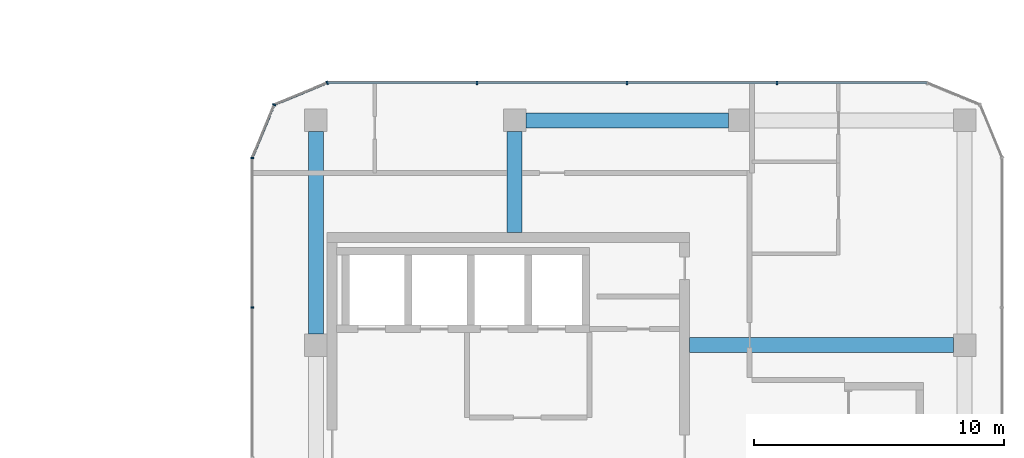
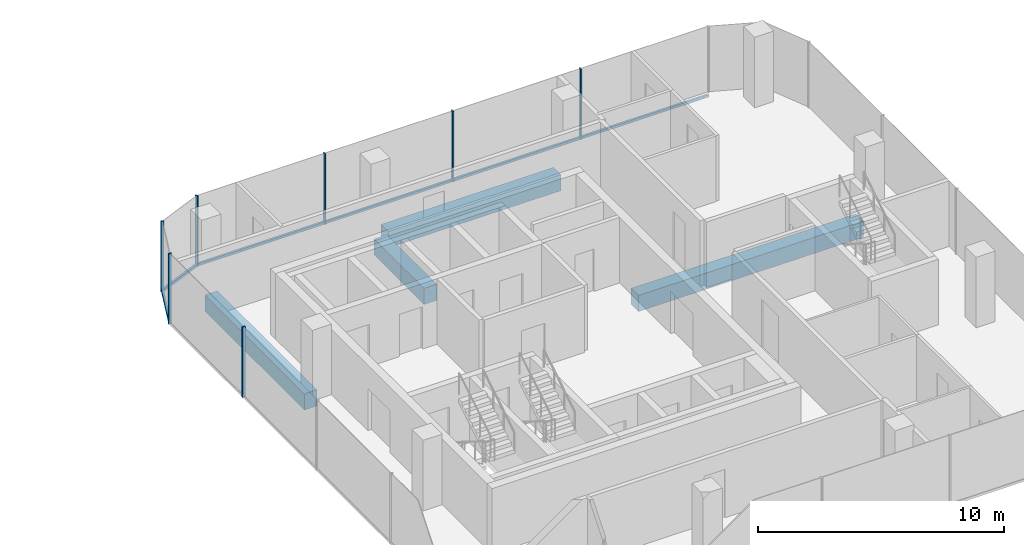
# One storey, part 9 of 22: 10 members, 4 beams, 4 elements without a shape of their own.
"""IFC4 building model written with IfcOpenShell, lengths in metres."""

from ifc_helpers import new_model, si_unit, direction, frame, origin, origin_2d, place, context, subcontext, project, spatial, rectangle, extrude, material, layer, layer_set, material_profile, profile_set, type_object, element, aggregate, save


model = new_model("IFC4")

# Units and contexts
model_context = context("Model", 3, precision=1e-05, world=origin(), true_north=direction((0.0, 1.0)))
body_context = subcontext(model_context, "Body", "Model", "MODEL_VIEW")
ifc_project = project(units=[si_unit("LENGTHUNIT", "METRE"), si_unit("AREAUNIT", "SQUARE_METRE"), si_unit("VOLUMEUNIT", "CUBIC_METRE"), si_unit("PLANEANGLEUNIT", "RADIAN"), si_unit("MASSUNIT", "GRAM", prefix="KILO")], contexts=[model_context])

# Site, building, storey
site_placement = place(None, origin())
site = spatial("IfcSite", under=ifc_project, at=site_placement, CompositionType="ELEMENT")
building_placement = place(site_placement, origin())
building = spatial("IfcBuilding", under=site, at=building_placement, Name="Plateau Cross Towers", CompositionType="ELEMENT")
storey_placement = place(building_placement, frame((0.0, 0.0, 106.300048828125)))
storey = spatial("IfcBuildingStorey", under=building, at=storey_placement, Name="L27", CompositionType="ELEMENT", Elevation=106.300048828125)

# Beams
ifc_material_1 = material(Name="Concrete C60/75", Category="concrete")
ifc_material_profile_1 = material_profile(ifc_material_1, rectangle(XDim=0.60009765625, YDim=0.800048828125, at=origin_2d()), Name="RC 600x800")
ifc_profile_set_1 = profile_set([ifc_material_profile_1], Name="Concrete C60/75")
beam_type_1 = type_object("IfcBeamType", Name="Core beam RC 600x800", PredefinedType="BEAM", material=ifc_profile_set_1)
beam_1_placement = place(storey_placement, frame((89.5, 13.5, -0.650146484375), z_axis=(1.0, 0.0, 0.0), x_axis=(0.0, 1.0, 0.0)))
element("IfcBeam", 1, at=beam_1_placement, inside=storey, type_object=beam_type_1, Name="B-CB03@L27", PredefinedType="BEAM", context=body_context, shape_type="SweptSolid", body=[
    extrude(rectangle(XDim=0.60009765625, YDim=0.800048828125, at=origin_2d()), origin(), (0.0, 0.0, 1.0), 10.550048828125),
])
beam_2_placement = place(storey_placement, frame((82.5, 18.0, -0.650146484375), z_axis=(0.0, 1.0, 0.0), x_axis=(-1.0, 0.0, 0.0)))
element("IfcBeam", 2, at=beam_2_placement, inside=storey, type_object=beam_type_1, Name="B-CB04@L27", PredefinedType="BEAM", context=body_context, shape_type="SweptSolid", body=[
    extrude(rectangle(XDim=0.60009765625, YDim=0.800048828125, at=origin_2d()), origin(), (0.0, 0.0, 1.0), 4.050048828125),
])

# Curtain wall, members
ifc_material_2 = material(Name="Dark low-iron glass", Category="glass")
ifc_layer = layer(ifc_material_2, 0.239990234375)
ifc_layer_set = layer_set([ifc_layer], Name="Dark low-iron glass")
curtain_wall_type = type_object("IfcCurtainWallType", Name="Curtain wall office unitised CW-F", PredefinedType="NOTDEFINED", material=ifc_layer_set)
curtain_wall_1_placement = place(storey_placement, origin())
curtain_wall_1 = element("IfcCurtainWall", 3, at=curtain_wall_1_placement, inside=storey, type_object=curtain_wall_type, Name="ENV/B/L27/B990_240", PredefinedType="NOTDEFINED")
ifc_material_3 = material(Name="Black anodised aluminium", Category="aluminium")
ifc_material_profile_2 = material_profile(ifc_material_3, rectangle(XDim=0.06005859375, YDim=0.139892578125, at=origin_2d()), Name="MULLION 60x140")
ifc_profile_set_2 = profile_set([ifc_material_profile_2], Name="Black anodised aluminium")
member_type_1 = type_object("IfcMemberType", Name="Mullion 60x140 office unitised", PredefinedType="MULLION", material=ifc_profile_set_2)
member_1_placement = place(storey_placement, frame((93.0, 24.0, -0.25), z_axis=(0.0, 0.0, 1.0), x_axis=(-1.0, 0.0, 0.0)))
member_1 = element("IfcMember", 4, at=member_1_placement, type_object=member_type_1, Name="CW-F mullion 2", PredefinedType="MULLION", context=body_context, shape_type="SweptSolid", body=[
    extrude(rectangle(XDim=0.06005859375, YDim=0.139892578125, at=origin_2d()), origin(), (0.0, 0.0, 1.0), 3.5),
])
member_2_placement = place(storey_placement, frame((87.0, 24.0, -0.25), z_axis=(0.0, 0.0, 1.0), x_axis=(-1.0, 0.0, 0.0)))
member_2 = element("IfcMember", 5, at=member_2_placement, type_object=member_type_1, Name="CW-F mullion 3", PredefinedType="MULLION", context=body_context, shape_type="SweptSolid", body=[
    extrude(rectangle(XDim=0.06005859375, YDim=0.139892578125, at=origin_2d()), origin(), (0.0, 0.0, 1.0), 3.5),
])
member_3_placement = place(storey_placement, frame((81.0, 24.0, -0.25), z_axis=(0.0, 0.0, 1.0), x_axis=(-1.0, 0.0, 0.0)))
member_3 = element("IfcMember", 6, at=member_3_placement, type_object=member_type_1, Name="CW-F mullion 4", PredefinedType="MULLION", context=body_context, shape_type="SweptSolid", body=[
    extrude(rectangle(XDim=0.06005859375, YDim=0.139892578125, at=origin_2d()), origin(), (0.0, 0.0, 1.0), 3.5),
])

# Curtain wall, member
curtain_wall_2_placement = place(storey_placement, origin())
curtain_wall_2 = element("IfcCurtainWall", 7, at=curtain_wall_2_placement, inside=storey, type_object=curtain_wall_type, Name="ENV/B/L27/B750_240", PredefinedType="NOTDEFINED")
member_4_placement = place(storey_placement, frame((75.0, 24.0, -0.25), z_axis=(0.0, 0.0, 1.0), x_axis=(-0.923879457699, -0.382683612978, 0.0)))
member_4 = element("IfcMember", 8, at=member_4_placement, type_object=member_type_1, Name="CW-F mullion 1", PredefinedType="MULLION", context=body_context, shape_type="SweptSolid", body=[
    extrude(rectangle(XDim=0.06005859375, YDim=0.139892578125, at=origin_2d()), origin(), (0.0, 0.0, 1.0), 3.5),
])

curtain_wall_3_placement = place(storey_placement, origin())
curtain_wall_3 = element("IfcCurtainWall", 9, at=curtain_wall_3_placement, inside=storey, type_object=curtain_wall_type, Name="ENV/B/L27/B729_231", PredefinedType="NOTDEFINED")
member_5_placement = place(storey_placement, frame((72.878662109375, 23.121337890625, -0.25), z_axis=(0.0, 0.0, 1.0), x_axis=(-0.382683612978, -0.923879457699, 0.0)))
member_5 = element("IfcMember", 10, at=member_5_placement, type_object=member_type_1, Name="CW-F mullion 1", PredefinedType="MULLION", context=body_context, shape_type="SweptSolid", body=[
    extrude(rectangle(XDim=0.06005859375, YDim=0.139892578125, at=origin_2d()), origin(), (0.0, 0.0, 1.0), 3.5),
])

# Curtain wall, members
curtain_wall_4_placement = place(storey_placement, origin())
curtain_wall_4 = element("IfcCurtainWall", 11, at=curtain_wall_4_placement, inside=storey, type_object=curtain_wall_type, Name="ENV/B/L27/B720_210", PredefinedType="NOTDEFINED")
member_6_placement = place(storey_placement, frame((72.0, 21.0, -0.25), z_axis=(0.0, 0.0, 1.0), x_axis=(0.0, -1.0, 0.0)))
member_6 = element("IfcMember", 12, at=member_6_placement, type_object=member_type_1, Name="CW-F mullion 1", PredefinedType="MULLION", context=body_context, shape_type="SweptSolid", body=[
    extrude(rectangle(XDim=0.06005859375, YDim=0.139892578125, at=origin_2d()), origin(), (0.0, 0.0, 1.0), 3.5),
])
member_7_placement = place(storey_placement, frame((72.0, 15.0, -0.25), z_axis=(0.0, 0.0, 1.0), x_axis=(0.0, -1.0, 0.0)))
member_7 = element("IfcMember", 13, at=member_7_placement, type_object=member_type_1, Name="CW-F mullion 2", PredefinedType="MULLION", context=body_context, shape_type="SweptSolid", body=[
    extrude(rectangle(XDim=0.06005859375, YDim=0.139892578125, at=origin_2d()), origin(), (0.0, 0.0, 1.0), 3.5),
])
aggregate(curtain_wall_4, [member_6, member_7])

# Beams
ifc_material_profile_3 = material_profile(ifc_material_1, rectangle(XDim=0.60009765625, YDim=0.800048828125, at=origin_2d()), Name="RC 600x800")
ifc_profile_set_3 = profile_set([ifc_material_profile_3], Name="Concrete C60/75")
beam_type_2 = type_object("IfcBeamType", Name="Ring beam RC 600x800", PredefinedType="BEAM", material=ifc_profile_set_3)
for number, where, z_axis, x_axis, name in (
    (14, (91.050048828125, 22.5, -0.650146484375), (-1.0, 0.0, 0.0), (0.0, -1.0, 0.0), "B-RB07@L27"),
    (15, (74.550048828125, 22.050048828125, -0.650146484375), (0.0, -1.0, 0.0), (1.0, 0.0, 0.0), "B-RB08@L27"),
):
    element("IfcBeam", number, at=place(storey_placement, frame(where, z_axis=z_axis, x_axis=x_axis)), inside=storey, type_object=beam_type_2, Name=name, PredefinedType="BEAM", context=body_context, shape_type="SweptSolid", body=[
        extrude(rectangle(XDim=0.60009765625, YDim=0.800048828125, at=origin_2d()), origin(), (0.0, 0.0, 1.0), 8.10009765625),
    ])

# Member
ifc_material_profile_4 = material_profile(ifc_material_3, rectangle(XDim=0.10009765625, YDim=0.1201171875, at=origin_2d()), Name="TRANSOM 100x120")
ifc_profile_set_4 = profile_set([ifc_material_profile_4], Name="Black anodised aluminium")
member_type_2 = type_object("IfcMemberType", Name="Transom 100x120 office unitised", PredefinedType="USERDEFINED", material=ifc_profile_set_4)
member_8_placement = place(storey_placement, frame((99.0, 24.0, -0.18994140625), z_axis=(-1.0, 0.0, 0.0), x_axis=(0.0, -1.0, 0.0)))
member_8 = element("IfcMember", 16, at=member_8_placement, type_object=member_type_2, Name="CW-F transom", ObjectType="TRANSOM", PredefinedType="USERDEFINED", context=body_context, shape_type="SweptSolid", body=[
    extrude(rectangle(XDim=0.10009765625, YDim=0.1201171875, at=origin_2d()), origin(), (0.0, 0.0, 1.0), 24.0),
])

aggregate(curtain_wall_1, [member_1, member_2, member_3, member_8])

member_9_placement = place(storey_placement, frame((75.0, 24.0, -0.18994140625), z_axis=(-0.923883353507, -0.382674207535, 0.0), x_axis=(0.382674207535, -0.923883353507, 0.0)))
member_9 = element("IfcMember", 17, at=member_9_placement, type_object=member_type_2, Name="CW-F transom", ObjectType="TRANSOM", PredefinedType="USERDEFINED", context=body_context, shape_type="SweptSolid", body=[
    extrude(rectangle(XDim=0.10009765625, YDim=0.1201171875, at=origin_2d()), origin(), (0.0, 0.0, 1.0), 2.296142578125),
])

aggregate(curtain_wall_2, [member_4, member_9])

member_10_placement = place(storey_placement, frame((72.878662109375, 23.121337890625, -0.18994140625), z_axis=(-0.382674207535, -0.923883353507, 0.0), x_axis=(0.923883353507, -0.382674207535, 0.0)))
member_10 = element("IfcMember", 18, at=member_10_placement, type_object=member_type_2, Name="CW-F transom", ObjectType="TRANSOM", PredefinedType="USERDEFINED", context=body_context, shape_type="SweptSolid", body=[
    extrude(rectangle(XDim=0.10009765625, YDim=0.1201171875, at=origin_2d()), origin(), (0.0, 0.0, 1.0), 2.296142578125),
])

aggregate(curtain_wall_3, [member_5, member_10])

save(model, "model.ifc")
